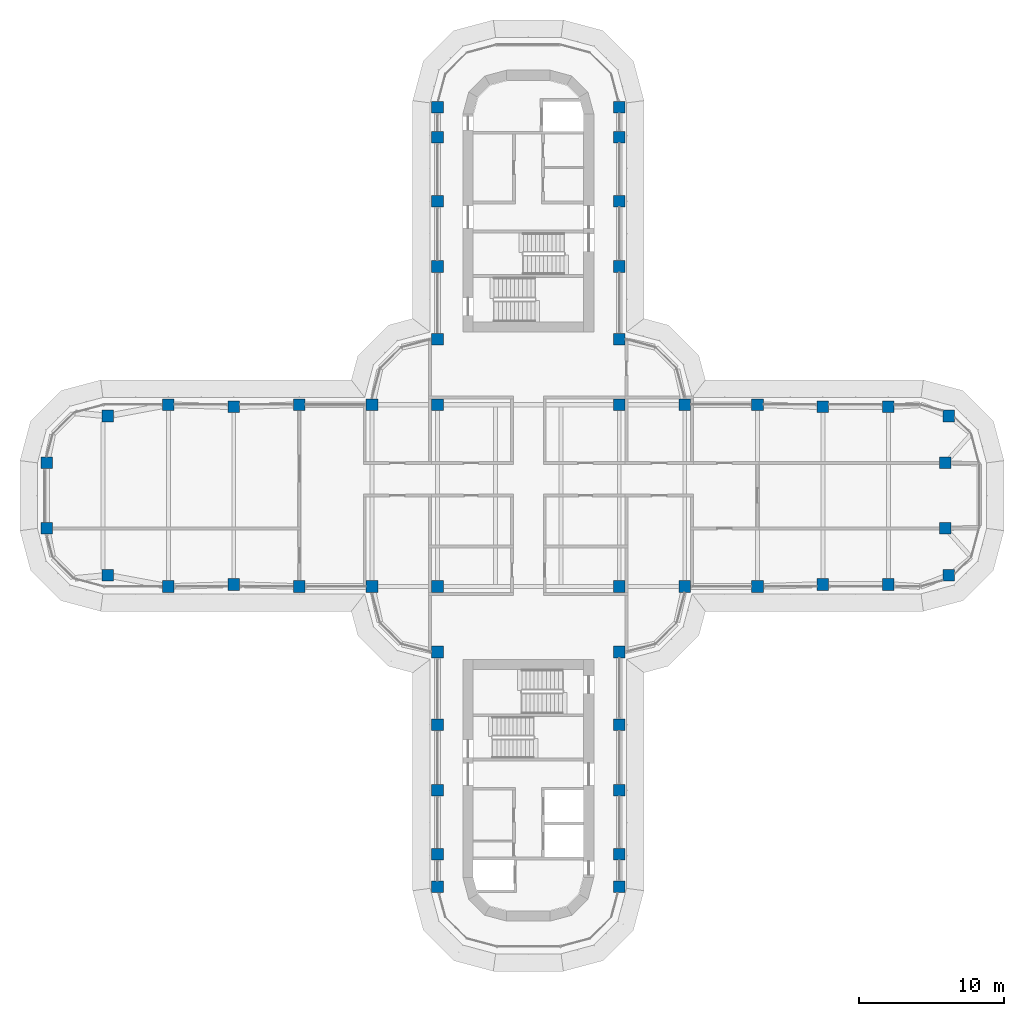
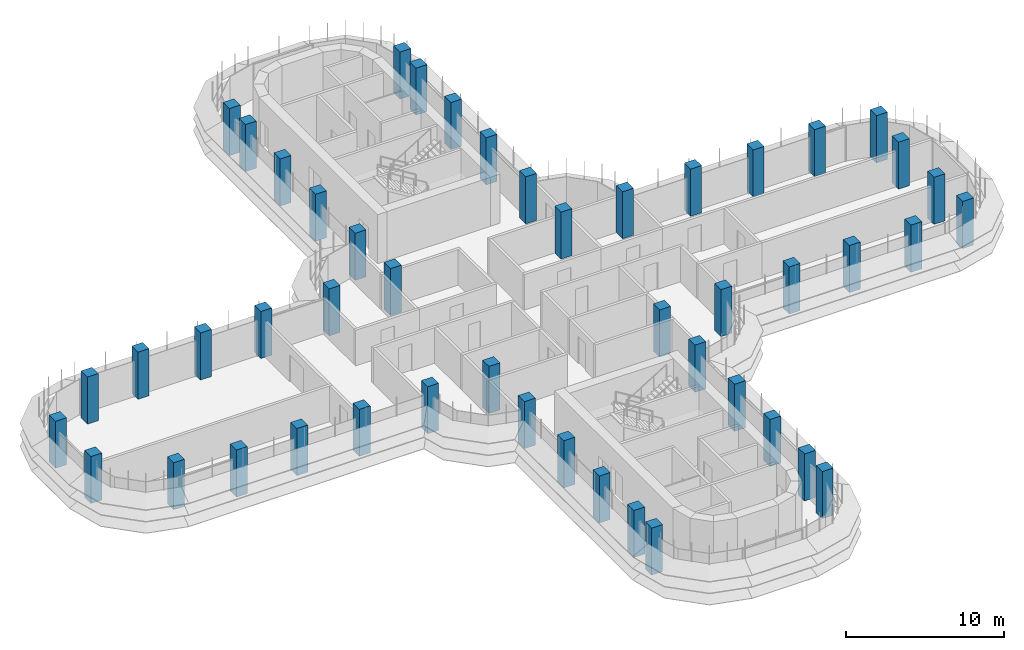
# One storey, part 1 of 19: 48 columns.
"""IFC4 building model written with IfcOpenShell, lengths in metres."""

from ifc_helpers import new_model, si_unit, direction, frame, origin, origin_2d, place, context, subcontext, project, spatial, rectangle, extrude, material, material_profile, profile_set, type_object, element, save


model = new_model("IFC4")

# Units and contexts
model_context = context("Model", 3, precision=1e-05, world=origin(), true_north=direction((0.0, 1.0)))
body_context = subcontext(model_context, "Body", "Model", "MODEL_VIEW")
ifc_project = project(units=[si_unit("LENGTHUNIT", "METRE"), si_unit("AREAUNIT", "SQUARE_METRE"), si_unit("VOLUMEUNIT", "CUBIC_METRE"), si_unit("PLANEANGLEUNIT", "RADIAN"), si_unit("MASSUNIT", "GRAM", prefix="KILO")], contexts=[model_context])

# Site, building, storey
site_placement = place(None, origin())
site = spatial("IfcSite", under=ifc_project, at=site_placement, CompositionType="ELEMENT")
building_placement = place(site_placement, origin())
building = spatial("IfcBuilding", under=site, at=building_placement, Name="Zarbagh Exchange Tower", CompositionType="ELEMENT")
storey_placement = place(building_placement, frame((0.0, 0.0, 179.0)))
storey = spatial("IfcBuildingStorey", under=building, at=storey_placement, Name="L43", CompositionType="ELEMENT", Elevation=179.0)

# Columns
ifc_material = material(Name="Concrete C50/60", Category="concrete")
ifc_material_profile = material_profile(ifc_material, rectangle(XDim=0.800048828125, YDim=0.800048828125, at=origin_2d()), Name="RC column 800 x 800 C50/60")
ifc_profile_set = profile_set([ifc_material_profile], Name="Concrete C50/60")
column_type = type_object("IfcColumnType", Name="RC column 800 x 800 C50/60", PredefinedType="COLUMN", material=ifc_profile_set)
for number, where, z_axis, x_axis, name in (
    (1, (-33.110107421875, -2.25, 0.0), (0.0, 0.0, 1.0), (1.0, 0.0, 0.0), "C4 10/S"),
    (2, (-33.110107421875, 2.25, 0.0), (0.0, 0.0, 1.0), (1.0, 0.0, 0.0), "C4 10/T"),
    (3, (-28.907958984375, -5.47509765625, 0.0), (0.0, 0.0, 1.0), (1.0, 0.0, 0.0), "C4 11/R"),
    (4, (-28.907958984375, 5.47509765625, 0.0), (0.0, 0.0, 1.0), (1.0, 0.0, 0.0), "C4 11/U"),
    (5, (-24.75, -6.25, 0.0), (0.0, 0.0, 1.0), (1.0, 0.0, 0.0), "C4 12/R"),
    (6, (-24.75, 6.25, 0.0), (0.0, 0.0, 1.0), (1.0, 0.0, 0.0), "C4 12/U"),
    (7, (-20.25, -6.110107421875, 0.0), (0.0, 0.0, 1.0), (1.0, 0.0, 0.0), "C4 13/R"),
    (8, (-20.25, 6.110107421875, 0.0), (0.0, 0.0, 1.0), (1.0, 0.0, 0.0), "C4 13/U"),
    (9, (-15.75, -6.25, 0.0), (0.0, 0.0, 1.0), (1.0, 0.0, 0.0), "C4 14/R"),
    (10, (-15.75, 6.25, 0.0), (0.0, 0.0, 1.0), (1.0, 0.0, 0.0), "C4 14/U"),
    (11, (-10.75, -6.25, 0.0), (0.0, 0.0, 1.0), (1.0, 0.0, 0.0), "C4 15/R"),
    (12, (-10.75, 6.25, 0.0), (0.0, 0.0, 1.0), (1.0, 0.0, 0.0), "C4 15/U"),
    (13, (-6.25, -26.89990234375, 0.0), (0.0, 0.0, 1.0), (1.0, 0.0, 0.0), "C4 16/L"),
    (14, (-6.25, -24.64990234375, 0.0), (0.0, 0.0, 1.0), (1.0, 0.0, 0.0), "C4 16/M"),
    (15, (-6.25, -20.25, 0.0), (0.0, 0.0, 1.0), (1.0, 0.0, 0.0), "C4 16/N"),
    (16, (-6.25, -15.75, 0.0), (0.0, 0.0, 1.0), (1.0, 0.0, 0.0), "C4 16/P"),
    (17, (-6.25, -10.75, 0.0), (0.0, 0.0, 1.0), (1.0, 0.0, 0.0), "C4 16/Q"),
    (18, (-6.25, -6.25, 0.0), (0.0, 0.0, 1.0), (1.0, 0.0, 0.0), "C4 16/R"),
    (19, (-6.25, 6.25, 0.0), (0.0, 0.0, 1.0), (1.0, 0.0, 0.0), "C4 16/U"),
    (20, (-6.25, 10.75, 0.0), (0.0, 0.0, 1.0), (1.0, 0.0, 0.0), "C4 16/V"),
    (21, (-6.25, 15.75, 0.0), (0.0, 0.0, 1.0), (1.0, 0.0, 0.0), "C4 16/W"),
    (22, (-6.25, 20.25, 0.0), (0.0, 0.0, 1.0), (1.0, 0.0, 0.0), "C4 16/X"),
    (23, (-6.25, 24.64990234375, 0.0), (0.0, 0.0, 1.0), (1.0, 0.0, 0.0), "C4 16/Y"),
    (24, (-6.25, 26.699951171875, 0.0), (0.0, 0.0, 1.0), (1.0, 0.0, 0.0), "C4 16/Z"),
    (25, (6.25, -26.89990234375, 0.0), (0.0, 0.0, 1.0), (1.0, 0.0, 0.0), "C4 19/L"),
    (26, (6.25, -24.64990234375, 0.0), (0.0, 0.0, 1.0), (1.0, 0.0, 0.0), "C4 19/M"),
    (27, (6.25, -20.25, 0.0), (0.0, 0.0, 1.0), (1.0, 0.0, 0.0), "C4 19/N"),
    (28, (6.25, -15.75, 0.0), (0.0, 0.0, 1.0), (1.0, 0.0, 0.0), "C4 19/P"),
    (29, (6.25, -10.75, 0.0), (0.0, 0.0, 1.0), (1.0, 0.0, 0.0), "C4 19/Q"),
    (30, (6.25, -6.25, 0.0), (0.0, 0.0, 1.0), (1.0, 0.0, 0.0), "C4 19/R"),
    (31, (6.25, 6.25, 0.0), (0.0, 0.0, 1.0), (1.0, 0.0, 0.0), "C4 19/U"),
    (32, (6.25, 10.75, 0.0), (0.0, 0.0, 1.0), (1.0, 0.0, 0.0), "C4 19/V"),
    (33, (6.25, 15.75, 0.0), (0.0, 0.0, 1.0), (1.0, 0.0, 0.0), "C4 19/W"),
    (34, (6.25, 20.25, 0.0), (0.0, 0.0, 1.0), (1.0, 0.0, 0.0), "C4 19/X"),
    (35, (6.25, 24.64990234375, 0.0), (0.0, 0.0, 1.0), (1.0, 0.0, 0.0), "C4 19/Y"),
    (36, (6.25, 26.699951171875, 0.0), (0.0, 0.0, 1.0), (1.0, 0.0, 0.0), "C4 19/Z"),
    (37, (10.75, -6.25, 0.0), (0.0, 0.0, 1.0), (1.0, 0.0, 0.0), "C4 20/R"),
    (38, (10.75, 6.25, 0.0), (0.0, 0.0, 1.0), (1.0, 0.0, 0.0), "C4 20/U"),
    (39, (15.75, -6.25, 0.0), (0.0, 0.0, 1.0), (1.0, 0.0, 0.0), "C4 21/R"),
    (40, (15.75, 6.25, 0.0), (0.0, 0.0, 1.0), (1.0, 0.0, 0.0), "C4 21/U"),
    (41, (20.25, -6.110107421875, 0.0), (0.0, 0.0, 1.0), (1.0, 0.0, 0.0), "C4 22/R"),
    (42, (20.25, 6.110107421875, 0.0), (0.0, 0.0, 1.0), (1.0, 0.0, 0.0), "C4 22/U"),
    (43, (24.75, -6.110107421875, 0.0), (0.0, 0.0, 1.0), (1.0, 0.0, 0.0), "C4 23/R"),
    (44, (24.75, 6.110107421875, 0.0), (0.0, 0.0, 1.0), (1.0, 0.0, 0.0), "C4 23/U"),
    (45, (28.907958984375, -5.47509765625, 0.0), (0.0, 0.0, 1.0), (1.0, 0.0, 0.0), "C4 24/R"),
    (46, (28.669921875, -2.25, 0.0), (0.0, 0.0, 1.0), (1.0, 0.0, 0.0), "C4 24/S"),
    (47, (28.669921875, 2.25, 0.0), (0.0, 0.0, 1.0), (1.0, 0.0, 0.0), "C4 24/T"),
    (48, (28.907958984375, 5.47509765625, 0.0), (0.0, 0.0, 1.0), (1.0, 0.0, 0.0), "C4 24/U"),
):
    element("IfcColumn", number, at=place(storey_placement, frame(where, z_axis=z_axis, x_axis=x_axis)), inside=storey, type_object=column_type, Name=name, PredefinedType="COLUMN", context=body_context, shape_type="SweptSolid", body=[
        extrude(rectangle(XDim=0.800048828125, YDim=0.800048828125, at=origin_2d()), origin(), (0.0, 0.0, 1.0), 3.64990234375),
    ])

save(model, "model.ifc")
